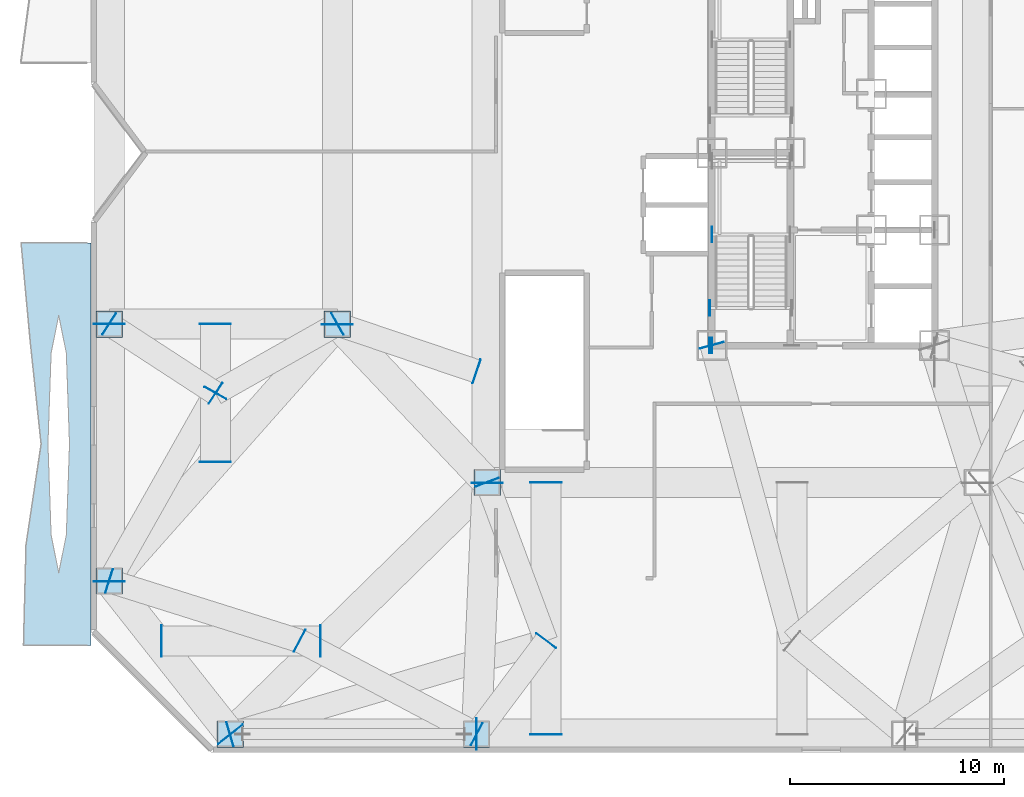
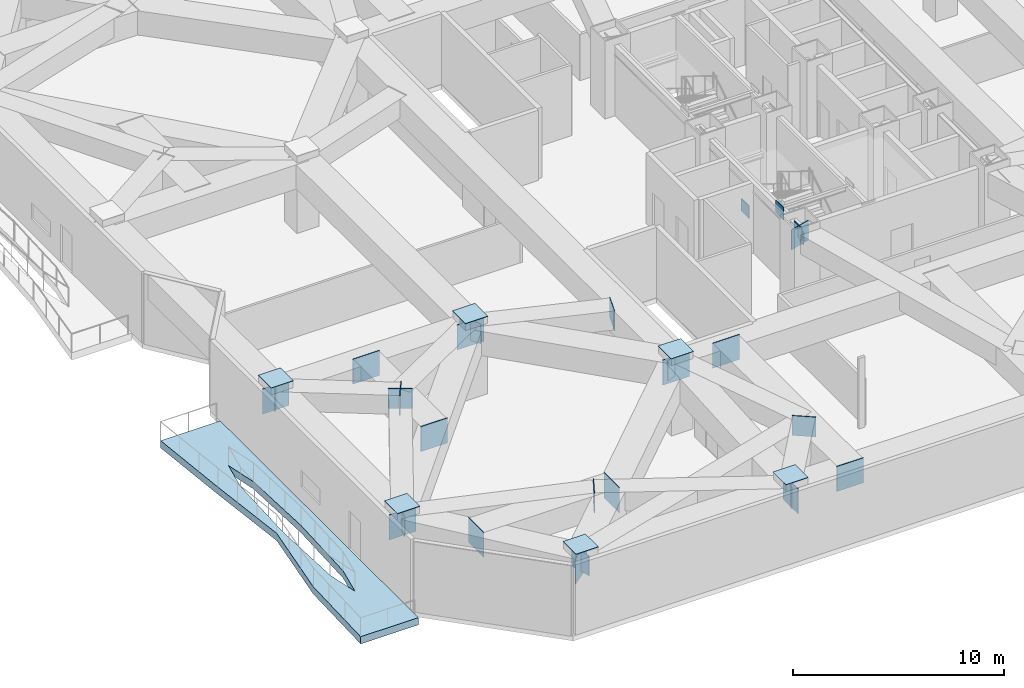
# One storey, part 13 of 27: 34 plates, 1 slab.
"""IFC4 building model written with IfcOpenShell, lengths in metres."""

from ifc_helpers import new_model, si_unit, direction, frame, origin, origin_2d, place, context, subcontext, project, spatial, polyline, rectangle, outline, extrude, material, layer, layer_set, type_object, element, save


model = new_model("IFC4")

# Units and contexts
model_context = context("Model", 3, precision=1e-05, world=origin(), true_north=direction((0.0, 1.0)))
body_context = subcontext(model_context, "Body", "Model", "MODEL_VIEW")
ifc_project = project(units=[si_unit("LENGTHUNIT", "METRE"), si_unit("AREAUNIT", "SQUARE_METRE"), si_unit("VOLUMEUNIT", "CUBIC_METRE"), si_unit("PLANEANGLEUNIT", "RADIAN"), si_unit("MASSUNIT", "GRAM", prefix="KILO")], contexts=[model_context])

# Site, building, storey
site_placement = place(None, origin())
site = spatial("IfcSite", under=ifc_project, at=site_placement, CompositionType="ELEMENT")
building_placement = place(site_placement, origin())
building = spatial("IfcBuilding", under=site, at=building_placement, Name="Khamvora Tower", CompositionType="ELEMENT")
storey_placement = place(building_placement, frame((0.0, 0.0, 28.800048828125)))
storey = spatial("IfcBuildingStorey", under=building, at=storey_placement, Name="L06", CompositionType="ELEMENT", Elevation=28.800048828125)

# Plates
ifc_material_1 = material(Name="Steel S355", Category="steel")
ifc_layer_1 = layer(ifc_material_1, 0.02490234375)
ifc_layer_set_1 = layer_set([ifc_layer_1], Name="Steel S355")
plate_type_1 = type_object("IfcPlateType", Name="PL-CAP-25", PredefinedType="SHEET", material=ifc_layer_set_1)
for number, where, z_axis, x_axis, name in (
    (1, (6.5, 0.85009765625, 4.474609375), (0.0, 0.0, 1.0), (1.0, 0.0, 0.0), "L06 hollow section steel end cap plate 0055"),
    (2, (18.0, 0.85009765625, 4.474609375), (0.0, 0.0, 1.0), (1.0, 0.0, 0.0), "L06 hollow section steel end cap plate 0056"),
    (3, (0.85009765625, 8.0, 4.474609375), (0.0, 0.0, 1.0), (1.0, 0.0, 0.0), "L06 hollow section steel end cap plate 0063"),
    (4, (0.85009765625, 20.0, 4.474609375), (0.0, 0.0, 1.0), (1.0, 0.0, 0.0), "L06 hollow section steel end cap plate 0064"),
    (5, (18.5, 12.60009765625, 4.474609375), (0.0, 0.0, 1.0), (1.0, 0.0, 0.0), "L06 hollow section steel end cap plate 0071"),
    (6, (11.5, 20.0, 4.474609375), (0.0, 0.0, 1.0), (1.0, 0.0, 0.0), "L06 hollow section steel end cap plate 0075"),
):
    element("IfcPlate", number, at=place(storey_placement, frame(where, z_axis=z_axis, x_axis=x_axis)), inside=storey, type_object=plate_type_1, Name=name, PredefinedType="SHEET", context=body_context, shape_type="SweptSolid", body=[
        extrude(rectangle(XDim=1.22998046875, YDim=1.22998046875, at=origin_2d()), origin(), (0.0, 0.0, 1.0), 0.02490234375),
    ])
for number, where, z_axis, x_axis, name in (
    (7, (0.85009765625, 20.011962890625, 2.64990234375), (0.0, 0.0, 1.0), (0.0, -1.0, 0.0), "L06 hollow section steel end cap plate 0460"),
    (8, (0.85009765625, 7.987060546875, 2.64990234375), (0.0, 0.0, 1.0), (0.0, -1.0, 0.0), "L06 hollow section steel end cap plate 0461"),
    (9, (6.508056640625, 0.840087890625, 2.64990234375), (0.0, 0.0, 1.0), (0.619998158531, -0.78460326498, 0.0), "L06 hollow section steel end cap plate 0462"),
    (10, (18.011962890625, 0.85009765625, 2.64990234375), (0.0, 0.0, 1.0), (1.0, 0.0, 0.0), "L06 hollow section steel end cap plate 0463"),
    (11, (18.5, 12.587890625, 2.64990234375), (0.0, 0.0, 1.0), (0.0, 1.0, 0.0), "L06 hollow section steel end cap plate 0476"),
    (12, (11.5, 19.988037109375, 2.64990234375), (0.0, 0.0, 1.0), (0.0, 1.0, 0.0), "L06 hollow section steel end cap plate 0480"),
    (13, (3.2900390625, 5.199951171875, 2.64990234375), (0.0, 0.0, 1.0), (1.0, 0.0, 0.0), "L06 hollow section steel end cap plate 0486"),
    (14, (10.715087890625, 5.199951171875, 2.64990234375), (0.0, 0.0, 1.0), (1.0, 0.0, 0.0), "L06 hollow section steel end cap plate 0487"),
    (15, (21.25, 0.837890625, 2.64990234375), (0.0, 0.0, 1.0), (0.0, 1.0, 0.0), "L06 hollow section steel end cap plate 0488"),
    (16, (21.25, 12.612060546875, 2.64990234375), (0.0, 0.0, 1.0), (0.0, 1.0, 0.0), "L06 hollow section steel end cap plate 0489"),
    (17, (5.800048828125, 13.56494140625, 2.64990234375), (0.0, 0.0, 1.0), (0.0, 1.0, 0.0), "L06 hollow section steel end cap plate 0498"),
    (18, (5.800048828125, 20.011962890625, 2.64990234375), (0.0, 0.0, 1.0), (0.0, 1.0, 0.0), "L06 hollow section steel end cap plate 0499"),
):
    element("IfcPlate", number, at=place(storey_placement, frame(where, z_axis=z_axis, x_axis=x_axis)), inside=storey, type_object=plate_type_1, Name=name, PredefinedType="SHEET", context=body_context, shape_type="SweptSolid", body=[
        extrude(rectangle(XDim=0.02490234375, YDim=1.4599609375, at=origin_2d()), origin(), (0.0, 0.0, 1.0), 1.4599609375),
    ])
for number, where, z_axis, x_axis, name in (
    (19, (18.010986328125, 0.843994140625, 2.9501953125), (0.0, 0.0, 1.0), (-0.884572835098, 0.466402079119, 0.0), "L06 hollow section steel end cap plate 0510"),
    (20, (9.739013671875, 5.2060546875, 2.9501953125), (0.0, 0.0, 1.0), (-0.884572835098, 0.466402079119, 0.0), "L06 hollow section steel end cap plate 0511"),
    (21, (0.837890625, 8.00390625, 2.9501953125), (0.0, 0.0, 1.0), (0.953905701506, -0.300106502154, 0.0), "L06 hollow section steel end cap plate 0512"),
    (22, (21.257080078125, 5.2099609375, 2.9501953125), (0.0, 0.0, 1.0), (0.598520365948, 0.801107590493, 0.0), "L06 hollow section steel end cap plate 0513"),
    (23, (18.49609375, 12.612060546875, 2.9501953125), (0.0, 0.0, 1.0), (0.348343015724, -0.93736713373, 0.0), "L06 hollow section steel end cap plate 0514"),
    (24, (6.488037109375, 0.845947265625, 2.9501953125), (0.0, 0.0, 1.0), (0.959156135713, 0.282877194777, 0.0), "L06 hollow section steel end cap plate 0515"),
    (25, (28.9970703125, 19.011962890625, 2.9501953125), (0.0, 0.0, 1.0), (0.262222863911, -0.965007341756, 0.0), "L06 hollow section steel end cap plate 0519"),
    (26, (0.840087890625, 20.007080078125, 2.9501953125), (0.0, 0.0, 1.0), (0.83786165707, -0.545882628055, 0.0), "L06 hollow section steel end cap plate 0534"),
    (27, (5.81005859375, 16.76806640625, 2.9501953125), (0.0, 0.0, 1.0), (0.83786165707, -0.545882628055, 0.0), "L06 hollow section steel end cap plate 0535"),
    (28, (11.510986328125, 20.006103515625, 2.9501953125), (0.0, 0.0, 1.0), (-0.870347101395, -0.492438750601, 0.0), "L06 hollow section steel end cap plate 0536"),
    (29, (5.805908203125, 16.785888671875, 2.9501953125), (0.0, 0.0, 1.0), (0.49131424893, 0.870982381451, 0.0), "L06 hollow section steel end cap plate 0537"),
    (30, (18.011962890625, 17.7958984375, 2.9501953125), (0.0, 0.0, 1.0), (0.947215873354, -0.320596458599, 0.0), "L06 hollow section steel end cap plate 0550"),
):
    element("IfcPlate", number, at=place(storey_placement, frame(where, z_axis=z_axis, x_axis=x_axis)), inside=storey, type_object=plate_type_1, Name=name, PredefinedType="SHEET", context=body_context, shape_type="SweptSolid", body=[
        extrude(rectangle(XDim=0.02490234375, YDim=1.159912109375, at=origin_2d()), origin(), (0.0, 0.0, 1.0), 1.159912109375),
    ])
ifc_material_2 = material(Name="Steel S460", Category="steel")
ifc_layer_2 = layer(ifc_material_2, 0.034912109375)
ifc_layer_set_2 = layer_set([ifc_layer_2], Name="Steel S460")
plate_type_2 = type_object("IfcPlateType", Name="PL-EMB-35", PredefinedType="SHEET", material=ifc_layer_set_2)
for number, where, z_axis, x_axis, name in (
    (31, (29.0, 24.195068359375, 1.55908203125), (0.0, 0.0, 1.0), (1.0, 0.0, 0.0), "L06 core shear wall cast-in embed plate 0199"),
    (32, (28.89990234375, 19.0, 3.4541015625), (0.0, 0.0, 1.0), (1.0, 0.0, 0.0), "L06 core shear wall cast-in embed plate 0210"),
    (33, (28.89990234375, 20.75, 3.59375), (0.0, 0.0, 1.0), (1.0, 0.0, 0.0), "L06 core shear wall cast-in embed plate 0219"),
    (34, (29.0, 19.0, 3.169921875), (0.0, 0.0, 1.0), (1.0, 0.0, 0.0), "L06 core shear wall cast-in embed plate 0223"),
):
    element("IfcPlate", number, at=place(storey_placement, frame(where, z_axis=z_axis, x_axis=x_axis)), inside=storey, type_object=plate_type_2, Name=name, PredefinedType="SHEET", context=body_context, shape_type="SweptSolid", body=[
        extrude(rectangle(XDim=0.034912109375, YDim=0.719970703125, at=origin_2d()), origin(), (0.0, 0.0, 1.0), 0.719970703125),
    ])

# Slab
ifc_material_3 = material(Name="Concrete C40/50", Category="concrete")
ifc_layer_3 = layer(ifc_material_3, 0.419921875)
ifc_layer_set_3 = layer_set([ifc_layer_3], Name="Concrete C40/50")
slab_type = type_object("IfcSlabType", Name="SLB-GRD-420", PredefinedType="FLOOR", material=ifc_layer_set_3)
slab_placement = place(storey_placement, frame((0.0, 0.0, -0.420166015625)))
element("IfcSlab", 35, at=slab_placement, inside=storey, type_object=slab_type, Name="L06 external lens gallery slab WL1", PredefinedType="FLOOR", context=body_context, shape_type="SweptSolid", body=[
    extrude(outline(polyline([(0.0, 5.0), (0.0, 23.800048828125), (-3.27392578125, 23.800048828125), (-2.839111328125, 19.10009765625), (-2.3369140625, 14.39990234375), (-3.0439453125, 9.699951171875), (-3.162109375, 5.0), (0.0, 5.0)]), holes=[polyline([(-1.010986328125, 14.39990234375), (-1.158935546875, 18.654052734375), (-1.514892578125, 20.416015625), (-1.87109375, 18.654052734375), (-2.01904296875, 14.39990234375), (-1.87109375, 10.14599609375), (-1.514892578125, 8.384033203125), (-1.158935546875, 10.14599609375), (-1.010986328125, 14.39990234375)])]), origin(), (0.0, 0.0, 1.0), 0.420166015625),
])

save(model, "model.ifc")
